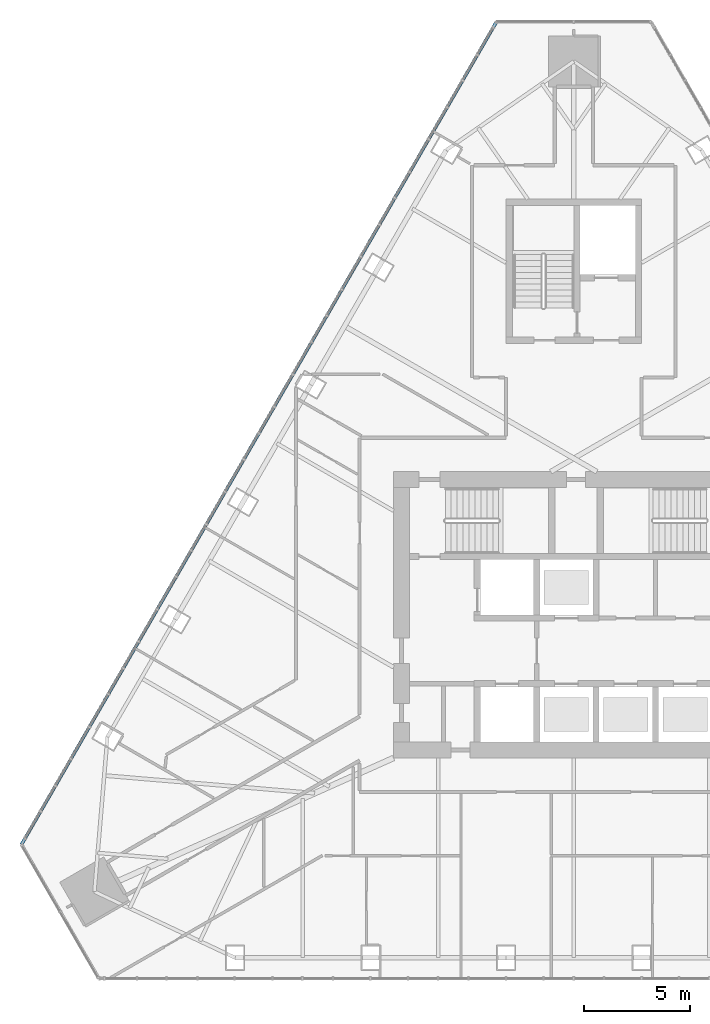
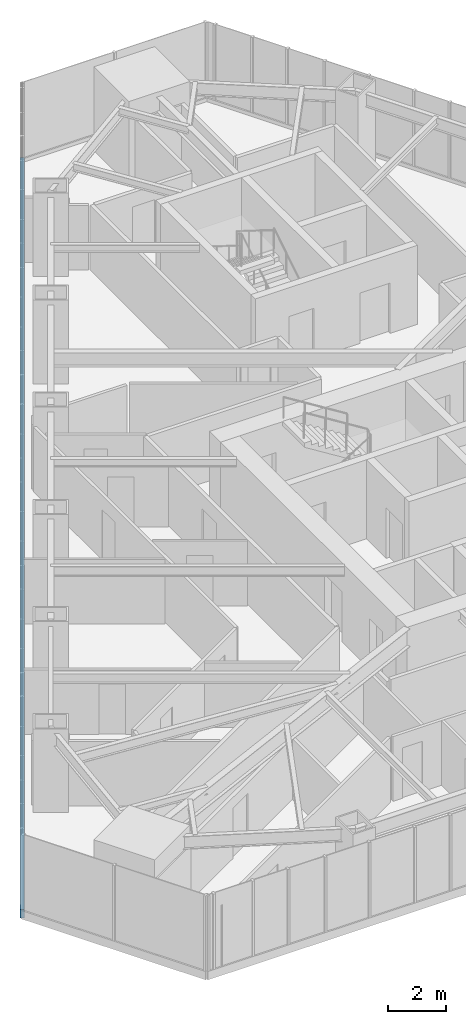
# One storey, part 6 of 21: 1 member, 1 element without a shape of its own.
"""IFC4 building model written with IfcOpenShell, lengths in metres."""

from ifc_helpers import new_model, si_unit, direction, frame, origin, origin_2d, place, context, subcontext, project, spatial, rectangle, extrude, material, layer, layer_set, material_profile, profile_set, type_object, element, aggregate, save


model = new_model("IFC4")

# Units and contexts
model_context = context("Model", 3, precision=1e-05, world=origin(), true_north=direction((0.0, 1.0)))
body_context = subcontext(model_context, "Body", "Model", "MODEL_VIEW")
ifc_project = project(units=[si_unit("LENGTHUNIT", "METRE"), si_unit("AREAUNIT", "SQUARE_METRE"), si_unit("VOLUMEUNIT", "CUBIC_METRE"), si_unit("PLANEANGLEUNIT", "RADIAN"), si_unit("MASSUNIT", "GRAM", prefix="KILO")], contexts=[model_context])

# Site, building, storey
site_placement = place(None, origin())
site = spatial("IfcSite", under=ifc_project, at=site_placement, CompositionType="ELEMENT")
building_placement = place(site_placement, origin())
building = spatial("IfcBuilding", under=site, at=building_placement, Name="Firuza Gate Tower and Library", CompositionType="ELEMENT")
storey_placement = place(building_placement, frame((0.0, 0.0, 284.60009765625)))
storey = spatial("IfcBuildingStorey", under=building, at=storey_placement, Name="L68", CompositionType="ELEMENT", Elevation=284.60009765625)

# Curtain wall, member
ifc_material_1 = material(Name="Aluminium 6063-T6", Category="aluminium")
ifc_layer = layer(ifc_material_1, 0.14990234375)
ifc_layer_set = layer_set([ifc_layer], Name="Unitised curtain wall, residences")
curtain_wall_type = type_object("IfcCurtainWallType", Name="Unitised curtain wall, residences", PredefinedType="NOTDEFINED", material=ifc_layer_set)
curtain_wall_placement = place(storey_placement, origin())
curtain_wall = element("IfcCurtainWall", 1, at=curtain_wall_placement, inside=storey, type_object=curtain_wall_type, Name="CW3 L68 W face", PredefinedType="NOTDEFINED")
ifc_material_2 = material(Name="Aluminium 6063-T6", Category="aluminium")
ifc_material_profile = material_profile(ifc_material_2, rectangle(XDim=0.14990234375, YDim=0.35009765625, at=origin_2d()))
ifc_profile_set = profile_set([ifc_material_profile], Name="Aluminium 6063-T6")
member_type = type_object("IfcMemberType", Name="Curtain wall transom 350x150", PredefinedType="USERDEFINED", material=ifc_profile_set)
member_placement = place(storey_placement, frame((71.356689453125, 102.9755859375, -0.025146484375), z_axis=(-0.500002271502, -0.866024092328, 0.0), x_axis=(0.866024092328, -0.500002271502, 0.0)))
member = element("IfcMember", 2, at=member_placement, type_object=member_type, Name="Transom", ObjectType="TRANSOM", PredefinedType="USERDEFINED", context=body_context, shape_type="SweptSolid", body=[
    extrude(rectangle(XDim=0.14990234375, YDim=0.35009765625, at=origin_2d()), origin(), (0.0, 0.0, 1.0), 44.811767578125),
])
aggregate(curtain_wall, [member])

save(model, "model.ifc")
